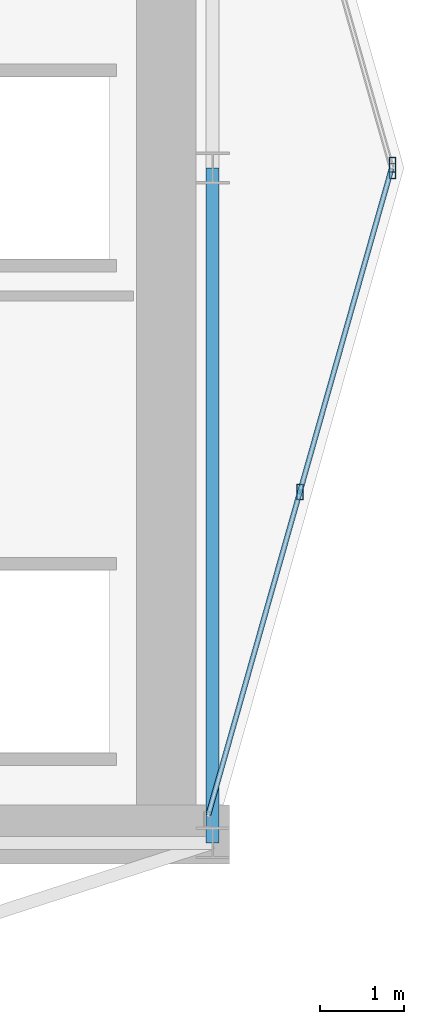
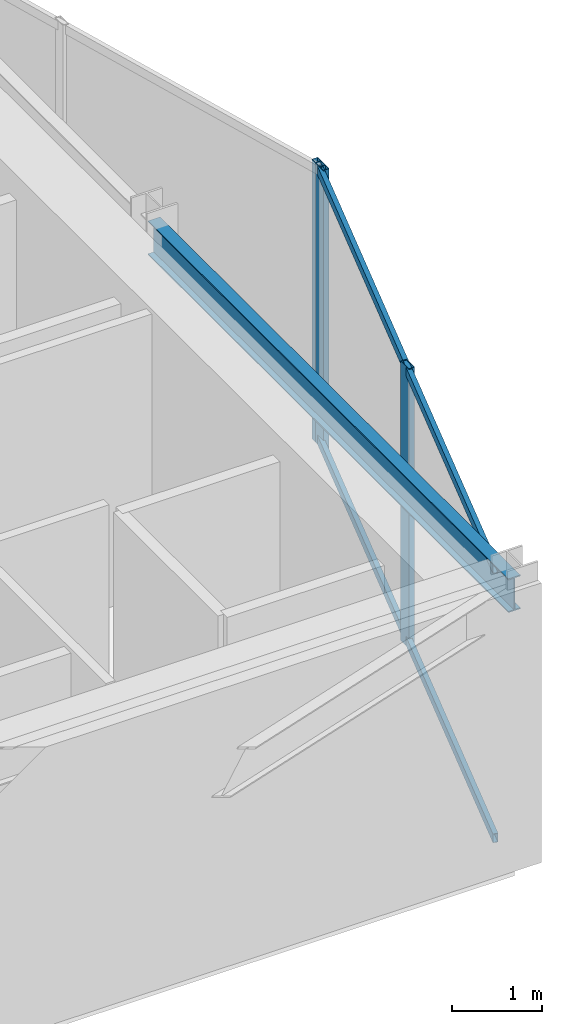
# One storey, part 11 of 18: 5 members, 1 beam, 2 elements without a shape of their own.
"""IFC4 building model written with IfcOpenShell, lengths in metres."""

import ifcopenshell
import ifcopenshell.guid

model = None  # the IFC model being written
_history = None  # IfcOwnerHistory: only IFC2X3 demands one
_inside = {}  # id of a spatial element -> (the spatial element, [elements in it])
_under = {}  # id of a project, library or spatial element -> (it, [spatial elements below it])
_declared = {}  # id of a project -> (the project, [libraries it declares])
_typed = {}  # id of a type object -> (the type object, [elements of that type])
_made_of = {}  # id of a material, layer set ... -> (it, [elements and type objects made of it])


def new_model(schema):
    """Start an empty IFC model of exactly this schema.

    Asked for "IFC4X3", IfcOpenShell would pick the latest addendum, in which some entities
    have other attributes; the version numbers below select the first issue.
    IFC2X3 requires an IfcOwnerHistory on every rooted entity: one is made here for all.
    """
    global model, _history
    if schema == "IFC4X3":
        model = ifcopenshell.file(schema_version=(4, 3, 0, 0))
    else:
        model = ifcopenshell.file(schema=schema)
    _inside.clear()
    _under.clear()
    _declared.clear()
    _typed.clear()
    _made_of.clear()
    _history = None
    if model.schema == "IFC2X3":
        org = make("IfcOrganization", Name="unknown")
        user = make(
            "IfcPersonAndOrganization",
            ThePerson=make("IfcPerson", FamilyName="unknown"),
            TheOrganization=org,
        )
        app = make(
            "IfcApplication",
            ApplicationDeveloper=org,
            Version="unknown",
            ApplicationFullName="unknown",
            ApplicationIdentifier="unknown",
        )
        _history = make(
            "IfcOwnerHistory",
            OwningUser=user,
            OwningApplication=app,
            ChangeAction="ADDED",
            CreationDate=0,
        )
    return model


def make(cls, **values):
    """One entity of the class cls with the attributes given. An attribute that is None is left unset."""
    return model.create_entity(
        cls, **{name: value for name, value in values.items() if value is not None}
    )


def rooted(cls, **values):
    """An entity with a GlobalId (a new one), such as an element, a storey or a relation."""
    return make(cls, GlobalId=ifcopenshell.guid.new(), OwnerHistory=_history, **values)


def si_unit(unit_type, name, prefix=None):
    """IfcSIUnit, for example si_unit("LENGTHUNIT", "METRE", prefix="MILLI")."""
    return make("IfcSIUnit", UnitType=unit_type, Prefix=prefix, Name=name)


def assignment(units):
    """IfcUnitAssignment: the units of a project."""
    return None if units is None else make("IfcUnitAssignment", Units=units)


def point(xyz):
    """IfcCartesianPoint."""
    return None if xyz is None else make("IfcCartesianPoint", Coordinates=xyz)


def direction(xyz):
    """IfcDirection."""
    return None if xyz is None else make("IfcDirection", DirectionRatios=xyz)


def frame(location, z_axis=None, x_axis=None):
    """IfcAxis2Placement3D, a coordinate frame: its origin and axes. An axis left out is left unset."""
    return make(
        "IfcAxis2Placement3D",
        Location=point(location),
        Axis=direction(z_axis),
        RefDirection=direction(x_axis),
    )


def frame_2d(location, x_axis=None):
    """IfcAxis2Placement2D, a coordinate frame in the plane: its origin and x axis."""
    return make(
        "IfcAxis2Placement2D", Location=point(location), RefDirection=direction(x_axis)
    )


def origin():
    """The frame at (0, 0, 0) with its axes left unset."""
    return frame((0.0, 0.0, 0.0))


def origin_2d():
    """The frame at (0, 0) in the plane with its x axis left unset."""
    return frame_2d((0.0, 0.0))


def place(relative_to, where):
    """IfcLocalPlacement: puts the frame where relative to a parent placement (None: the world)."""
    return make(
        "IfcLocalPlacement", PlacementRelTo=relative_to, RelativePlacement=where
    )


def context(
    kind, dimensions, precision=None, world=None, true_north=None, identifier=None
):
    """IfcGeometricRepresentationContext, for example the 3D "Model" context."""
    return make(
        "IfcGeometricRepresentationContext",
        ContextIdentifier=identifier,
        ContextType=kind,
        CoordinateSpaceDimension=dimensions,
        Precision=precision,
        WorldCoordinateSystem=world,
        TrueNorth=true_north,
    )


def subcontext(parent, identifier, kind, view, scale=None):
    """IfcGeometricRepresentationSubContext, for example "Body" below "Model"."""
    return make(
        "IfcGeometricRepresentationSubContext",
        ContextIdentifier=identifier,
        ContextType=kind,
        ParentContext=parent,
        TargetScale=scale,
        TargetView=view,
    )


def project(units=None, contexts=None):
    """IfcProject with its units and contexts."""
    return rooted(
        "IfcProject",
        Name="project",
        RepresentationContexts=contexts,
        UnitsInContext=assignment(units),
    )


def spatial(cls, under=None, at=None, **own):
    """A site, building, storey or space (cls), placed at a placement, below another one or the project."""
    s = rooted(cls, ObjectPlacement=at, **own)
    if under is not None:
        _under.setdefault(under.id(), (under, []))[1].append(s)
    return s


def profile(cls, at=None, kind="AREA", **sizes):
    """A parametric profile (cls). Its sizes go by their IFC names, for example OverallWidth=200.0."""
    return make(cls, ProfileType=kind, Position=at, **sizes)


def hollow_rectangle(**sizes):
    """IfcRectangleHollowProfileDef."""
    return profile("IfcRectangleHollowProfileDef", **sizes)


def i_section(**sizes):
    """IfcIShapeProfileDef."""
    return profile("IfcIShapeProfileDef", **sizes)


def extrude(swept, where, along, depth):
    """IfcExtrudedAreaSolid: the profile swept, set in the frame where, extruded along a direction by depth."""
    return make(
        "IfcExtrudedAreaSolid",
        SweptArea=swept,
        Position=where,
        ExtrudedDirection=direction(along),
        Depth=depth,
    )


def shape(context_of_items, identifier, shape_type, items):
    """IfcShapeRepresentation: the items that make up one representation, for example the "Body"."""
    return make(
        "IfcShapeRepresentation",
        ContextOfItems=context_of_items,
        RepresentationIdentifier=identifier,
        RepresentationType=shape_type,
        Items=items,
    )


def material(Name=None, Category=None):
    """IfcMaterial."""
    return make("IfcMaterial", Name=Name, Category=Category)


def layer(
    of_material, thickness, ventilated=None, Name=None, Category=None, Priority=None
):
    """IfcMaterialLayer: one layer of a wall or slab, of a material (None: an air gap)."""
    return make(
        "IfcMaterialLayer",
        Material=of_material,
        LayerThickness=thickness,
        IsVentilated=ventilated,
        Name=Name,
        Category=Category,
        Priority=Priority,
    )


def layer_set(layers, Name=None):
    """IfcMaterialLayerSet."""
    return make("IfcMaterialLayerSet", MaterialLayers=layers, LayerSetName=Name)


def material_profile(
    of_material, cross_section, Name=None, Category=None, Priority=None
):
    """IfcMaterialProfile: a cross section and its material."""
    return make(
        "IfcMaterialProfile",
        Name=Name,
        Material=of_material,
        Profile=cross_section,
        Priority=Priority,
        Category=Category,
    )


def profile_set(profiles, Name=None, composite=None):
    """IfcMaterialProfileSet."""
    return make(
        "IfcMaterialProfileSet",
        Name=Name,
        MaterialProfiles=profiles,
        CompositeProfile=composite,
    )


def made_of(thing, what):
    """Note that an element or type object is made of a material, layer set ...; save() writes the relation."""
    if what is not None:
        _made_of.setdefault(what.id(), (what, []))[1].append(thing)
    return thing


def type_object(cls, material=None, **own):
    """A type object (cls), such as IfcWallType, which elements share."""
    return made_of(rooted(cls, **own), material)


def element(
    cls,
    number,
    at=None,
    inside=None,
    cuts=None,
    type_object=None,
    material=None,
    context=None,
    identifier="Body",
    shape_type=None,
    held_by="IfcProductDefinitionShape",
    body=None,
    shapes=None,
    **own,
):
    """One element of the class cls, such as IfcWall. Its Tag is "e" and its number.

    at: its placement. inside: the storey or other place that contains it. cuts: it is an
    opening in that element (IfcRelVoidsElement). A single representation is given by context,
    identifier, shape_type and body (its items); several are given by shapes. held_by: the class
    of the entity that holds the representations. save() writes the other relations.
    """
    e = rooted(cls, Tag="e%d" % number, ObjectPlacement=at, **own)
    if body is not None:
        shapes = [shape(context, identifier, shape_type, body)]
    if shapes is not None:
        e.Representation = make(held_by, Representations=shapes)
    if inside is not None:
        _inside.setdefault(inside.id(), (inside, []))[1].append(e)
    if cuts is not None:
        rooted(
            "IfcRelVoidsElement", RelatingBuildingElement=cuts, RelatedOpeningElement=e
        )
    if type_object is not None:
        _typed.setdefault(type_object.id(), (type_object, []))[1].append(e)
    return made_of(e, material)


def aggregate(whole, parts):
    """IfcRelAggregates: a whole, such as a stair, and the parts it consists of."""
    return rooted("IfcRelAggregates", RelatingObject=whole, RelatedObjects=parts)


def save(model, path):
    """Write the relations noted so far, then the file.

    IfcRelAggregates (storeys below a building ...), IfcRelContainedInSpatialStructure (elements
    in a storey), IfcRelDefinesByType, IfcRelAssociatesMaterial and IfcRelDeclares: one each for
    every whole, place, type object, material and project.
    """
    for whole, parts in _under.values():
        aggregate(whole, parts)
    for where, things in _inside.values():
        rooted(
            "IfcRelContainedInSpatialStructure",
            RelatedElements=things,
            RelatingStructure=where,
        )
    for kind, things in _typed.values():
        rooted("IfcRelDefinesByType", RelatedObjects=things, RelatingType=kind)
    for what, things in _made_of.values():
        rooted("IfcRelAssociatesMaterial", RelatedObjects=things, RelatingMaterial=what)
    for by, libraries in _declared.values():
        rooted("IfcRelDeclares", RelatingContext=by, RelatedDefinitions=libraries)
    model.write(path)


model = new_model("IFC4")

# Units and contexts
model_context = context("Model", 3, precision=1e-05, world=origin(), true_north=direction((0.0, 1.0)))
body_context = subcontext(model_context, "Body", "Model", "MODEL_VIEW")
ifc_project = project(units=[si_unit("LENGTHUNIT", "METRE"), si_unit("AREAUNIT", "SQUARE_METRE"), si_unit("VOLUMEUNIT", "CUBIC_METRE"), si_unit("PLANEANGLEUNIT", "RADIAN"), si_unit("MASSUNIT", "GRAM", prefix="KILO")], contexts=[model_context])

# Site, building, storey
site_placement = place(None, origin())
site = spatial("IfcSite", under=ifc_project, at=site_placement, CompositionType="ELEMENT")
building_placement = place(site_placement, origin())
building = spatial("IfcBuilding", under=site, at=building_placement, Name="Veymaron Broadcast Tower", CompositionType="ELEMENT")
storey_placement = place(building_placement, frame((0.0, 0.0, 236.39990234375)))
storey = spatial("IfcBuildingStorey", under=building, at=storey_placement, Name="L55", CompositionType="ELEMENT", Elevation=236.39990234375)

# Beam
ifc_material_1 = material(Name="Structural steel ASTM A992 Gr 50", Category="steel")
ifc_material_profile_1 = material_profile(ifc_material_1, i_section(OverallWidth=0.154052734375, OverallDepth=0.458984375, WebThickness=0.009033203125, FlangeThickness=0.015380859375, at=origin_2d()), Name="W460X68")
ifc_profile_set_1 = profile_set([ifc_material_profile_1], Name="Structural steel ASTM A992 Gr 50")
beam_type = type_object("IfcBeamType", Name="BM-SP2", PredefinedType="SPANDREL", material=ifc_profile_set_1)
beam_placement = place(storey_placement, frame((54.60009765625, 16.0, 3.560546875), z_axis=(0.0, 1.0, 0.0), x_axis=(-1.0, 0.0, 0.0)))
element("IfcBeam", 1, at=beam_placement, inside=storey, type_object=beam_type, Name="L55 primary structural floor girder", PredefinedType="SPANDREL", context=body_context, shape_type="SweptSolid", body=[
    extrude(i_section(OverallWidth=0.154052734375, OverallDepth=0.458984375, WebThickness=0.009033203125, FlangeThickness=0.015380859375, at=origin_2d()), origin(), (0.0, 0.0, 1.0), 8.0),
])

# Curtain wall, members
ifc_material_2 = material(Name="Anodised aluminium AA 6063-T6 and laminated low-E dark glass", Category="aluminium")
ifc_layer = layer(ifc_material_2, 0.179931640625)
ifc_layer_set = layer_set([ifc_layer], Name="Anodised aluminium AA 6063-T6 and laminated low-E dark glass")
curtain_wall_type = type_object("IfcCurtainWallType", Name="CW-SYS-05", PredefinedType="NOTDEFINED", material=ifc_layer_set)
curtain_wall_1_placement = place(storey_placement, origin())
curtain_wall_1 = element("IfcCurtainWall", 2, at=curtain_wall_1_placement, inside=storey, type_object=curtain_wall_type, Name="L55 dark-glass curtain wall CW-L55-E4-1", PredefinedType="NOTDEFINED")
ifc_material_3 = material(Name="Anodised aluminium AA 6063-T6", Category="aluminium")
ifc_material_profile_2 = material_profile(ifc_material_3, hollow_rectangle(XDim=0.074951171875, YDim=0.179931640625, WallThickness=0.0048828125, at=origin_2d()), Name="AL180X75X5")
ifc_profile_set_2 = profile_set([ifc_material_profile_2], Name="Anodised aluminium AA 6063-T6")
member_type_1 = type_object("IfcMemberType", Name="CW-MUL-02", PredefinedType="MULLION", material=ifc_profile_set_2)
member_1_placement = place(storey_placement, frame((55.6337890625, 20.159423828125, 0.0), z_axis=(0.0, 0.0, 1.0), x_axis=(1.0, 0.0, 0.0)))
member_1 = element("IfcMember", 3, at=member_1_placement, type_object=member_type_1, Name="CW-L55-E4-1 mullion 1", PredefinedType="MULLION", context=body_context, shape_type="SweptSolid", body=[
    extrude(hollow_rectangle(XDim=0.074951171875, YDim=0.179931640625, WallThickness=0.0048828125, at=origin_2d()), origin(), (0.0, 0.0, 1.0), 3.7900390625),
])
member_2_placement = place(storey_placement, frame((56.7333984375, 24.0380859375, 0.0), z_axis=(0.0, 0.0, 1.0), x_axis=(1.0, 0.0, 0.0)))
member_2 = element("IfcMember", 4, at=member_2_placement, type_object=member_type_1, Name="CW-L55-E4-1 mullion 2", PredefinedType="MULLION", context=body_context, shape_type="SweptSolid", body=[
    extrude(hollow_rectangle(XDim=0.074951171875, YDim=0.179931640625, WallThickness=0.0048828125, at=origin_2d()), origin(), (0.0, 0.0, 1.0), 3.7900390625),
])

# Curtain wall, member
curtain_wall_2_placement = place(storey_placement, origin())
curtain_wall_2 = element("IfcCurtainWall", 5, at=curtain_wall_2_placement, inside=storey, type_object=curtain_wall_type, Name="L55 dark-glass curtain wall CW-L55-E5-1", PredefinedType="NOTDEFINED")
member_3_placement = place(storey_placement, frame((56.7333984375, 23.9619140625, 0.0), z_axis=(0.0, 0.0, 1.0), x_axis=(1.0, 0.0, 0.0)))
member_3 = element("IfcMember", 6, at=member_3_placement, type_object=member_type_1, Name="CW-L55-E5-1 mullion 0", PredefinedType="MULLION", context=body_context, shape_type="SweptSolid", body=[
    extrude(hollow_rectangle(XDim=0.074951171875, YDim=0.179931640625, WallThickness=0.0048828125, at=origin_2d()), origin(), (0.0, 0.0, 1.0), 3.7900390625),
])
aggregate(curtain_wall_2, [member_3])

# Member
ifc_material_profile_3 = material_profile(ifc_material_3, hollow_rectangle(XDim=0.06005859375, YDim=0.1201171875, WallThickness=0.00390625, at=origin_2d()), Name="AL120X60X4")
ifc_profile_set_3 = profile_set([ifc_material_profile_3], Name="Anodised aluminium AA 6063-T6")
member_type_2 = type_object("IfcMemberType", Name="CW-TRN-02", PredefinedType="USERDEFINED", material=ifc_profile_set_3)
member_4_placement = place(storey_placement, frame((54.547607421875, 16.328857421875, 0.070068359375), z_axis=(0.272772851998, 0.962078464167, 0.0), x_axis=(-0.962078464167, 0.272772851998, 0.0)))
member_4 = element("IfcMember", 7, at=member_4_placement, type_object=member_type_2, Name="CW-L55-E4-1 transom B", ObjectType="TRANSOM", PredefinedType="USERDEFINED", context=body_context, shape_type="SweptSolid", body=[
    extrude(hollow_rectangle(XDim=0.06005859375, YDim=0.1201171875, WallThickness=0.00390625, at=origin_2d()), origin(), (0.0, 0.0, 1.0), 7.963134765625),
])

member_5_placement = place(storey_placement, frame((54.547607421875, 16.328857421875, 3.72021484375), z_axis=(0.272772851998, 0.962078464167, 0.0), x_axis=(-0.962078464167, 0.272772851998, 0.0)))
member_5 = element("IfcMember", 8, at=member_5_placement, type_object=member_type_2, Name="CW-L55-E4-1 transom T", ObjectType="TRANSOM", PredefinedType="USERDEFINED", context=body_context, shape_type="SweptSolid", body=[
    extrude(hollow_rectangle(XDim=0.06005859375, YDim=0.1201171875, WallThickness=0.00390625, at=origin_2d()), origin(), (0.0, 0.0, 1.0), 7.963134765625),
])

aggregate(curtain_wall_1, [member_1, member_2, member_4, member_5])

save(model, "model.ifc")
